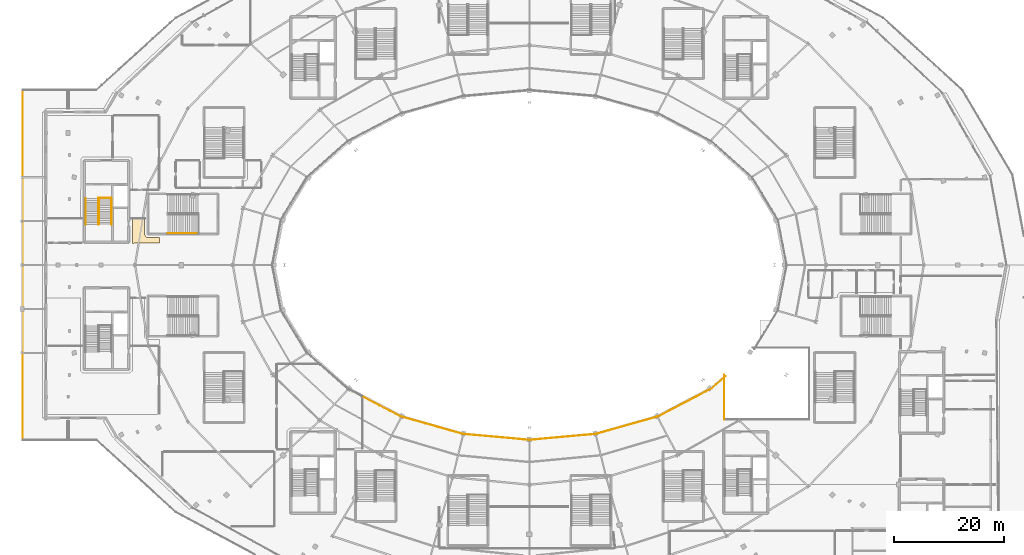
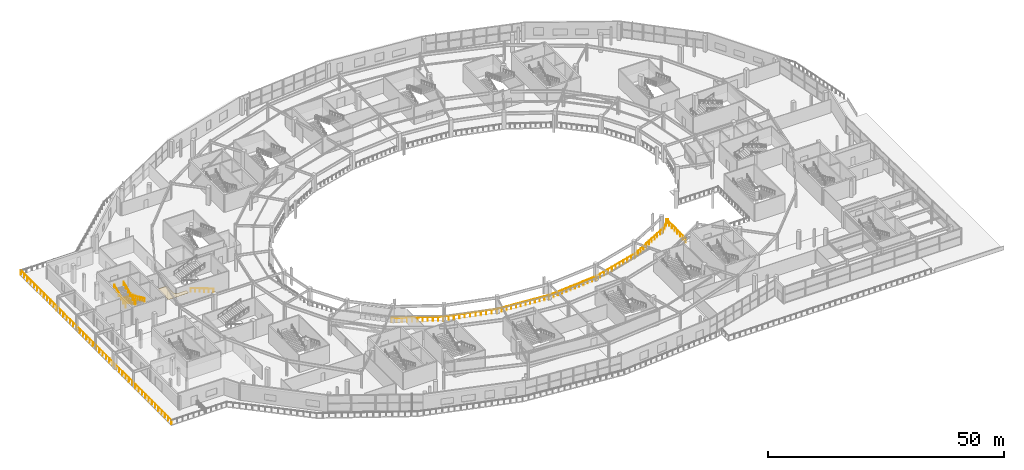
# One storey, part 95 of 107: 15 railings, 1 covering.
"""IFC4 building model written with IfcOpenShell, lengths in metres."""

from ifc_helpers import new_model, si_unit, direction, frame, origin, origin_2d, place, context, subcontext, project, spatial, polyline, circle, outline, extrude, material, layer, layer_set, type_object, element, save


model = new_model("IFC4")

# Units and contexts
model_context = context("Model", 3, precision=1e-05, world=origin(), true_north=direction((0.0, 1.0)))
body_context = subcontext(model_context, "Body", "Model", "MODEL_VIEW")
ifc_project = project(units=[si_unit("LENGTHUNIT", "METRE"), si_unit("AREAUNIT", "SQUARE_METRE"), si_unit("VOLUMEUNIT", "CUBIC_METRE"), si_unit("PLANEANGLEUNIT", "RADIAN"), si_unit("MASSUNIT", "GRAM", prefix="KILO")], contexts=[model_context])

# Site, building, storey
site_placement = place(None, origin())
site = spatial("IfcSite", under=ifc_project, at=site_placement, CompositionType="ELEMENT")
building_placement = place(site_placement, origin())
building = spatial("IfcBuilding", under=site, at=building_placement, Name="Kalgoora Escarpment Arena", CompositionType="ELEMENT")
storey_placement = place(building_placement, frame((0.0, 0.0, 5.39990234375)))
storey = spatial("IfcBuildingStorey", under=building, at=storey_placement, Name="L01", CompositionType="ELEMENT", Elevation=5.39990234375)

# Covering
ifc_material_1 = material(Name="Perforated acoustic mineral-fibre ceiling tile")
ifc_layer = layer(ifc_material_1, 0.02490234375)
ifc_layer_set = layer_set([ifc_layer], Name="COV-CEIL-ACOUSTIC")
covering_type = type_object("IfcCoveringType", Name="COV-CEIL-ACOUSTIC", PredefinedType="CEILING", material=ifc_layer_set)
covering_placement = place(storey_placement, frame((0.0, 0.0, 3.47998046875)))
element("IfcCovering", 1, at=covering_placement, inside=storey, type_object=covering_type, Name="L01 Arena Shop acoustic suspended ceiling", PredefinedType="CEILING", context=body_context, shape_type="SweptSolid", body=[
    extrude(outline(polyline([(25.039794921875, 67.99609375), (20.097900390625, 67.9599609375), (20.10009765625, 72.514892578125), (22.300048828125, 72.514892578125), (22.300048828125, 69.5), (22.7509765625, 69.00244140625), (25.0400390625, 69.0), (25.039794921875, 67.99609375)])), origin(), (0.0, 0.0, 1.0), 0.025146484375),
])

# Railings
ifc_material_2 = material(Name="Galvanised & powdercoated tubular steel", Category="steel")
railing_type_1 = type_object("IfcRailingType", Name="RAL-GUARD-1120", PredefinedType="GUARDRAIL", material=ifc_material_2)
railing_1_placement = place(storey_placement, frame((16.2900390625, 76.18994140625, 0.0)))
element("IfcRailing", 2, at=railing_1_placement, inside=storey, type_object=railing_type_1, Name="ST01 L01 floor landing well guard", PredefinedType="GUARDRAIL", context=body_context, shape_type="SweptSolid", body=[
    extrude(circle(Radius=0.02392578125, at=origin_2d()), frame((0.0, 0.0, 1.09619140625), z_axis=(-1.0, 0.0, 0.0), x_axis=(0.0, -1.0, 0.0)), (0.0, 0.0, 1.0), 2.340087890625),
    extrude(circle(Radius=0.02099609375, at=origin_2d()), origin(), (0.0, 0.0, 1.0), 1.072021484375),
    extrude(circle(Radius=0.02099609375, at=origin_2d()), frame((-1.169921875, 0.0, 0.0)), (0.0, 0.0, 1.0), 1.072021484375),
    extrude(circle(Radius=0.02099609375, at=origin_2d()), frame((-2.340087890625, 0.0, 0.0)), (0.0, 0.0, 1.0), 1.072021484375),
])
railing_2_placement = place(storey_placement, frame((59.27197265625, 41.478515625, 0.0)))
element("IfcRailing", 3, at=railing_2_placement, inside=storey, type_object=railing_type_1, Name="L01 concourse bowl balustrade 16", PredefinedType="GUARDRAIL", context=body_context, shape_type="SweptSolid", body=[
    extrude(circle(Radius=0.02392578125, at=origin_2d()), frame((0.0, 0.0, 1.09619140625), z_axis=(0.886621438299, -0.462495865007, 0.0), x_axis=(0.462495865007, 0.886621438299, 0.0)), (0.0, 0.0, 1.0), 10.94384765625),
    extrude(circle(Radius=0.02099609375, at=origin_2d()), origin(), (0.0, 0.0, 1.0), 1.072021484375),
    extrude(circle(Radius=0.02099609375, at=origin_2d()), frame((0.97021484375, -0.506103515625, 0.0)), (0.0, 0.0, 1.0), 1.072021484375),
    extrude(circle(Radius=0.02099609375, at=origin_2d()), frame((1.940673828125, -1.01220703125, 0.0)), (0.0, 0.0, 1.0), 1.072021484375),
    extrude(circle(Radius=0.02099609375, at=origin_2d()), frame((2.910888671875, -1.5185546875, 0.0)), (0.0, 0.0, 1.0), 1.072021484375),
    extrude(circle(Radius=0.02099609375, at=origin_2d()), frame((3.88134765625, -2.024658203125, 0.0)), (0.0, 0.0, 1.0), 1.072021484375),
    extrude(circle(Radius=0.02099609375, at=origin_2d()), frame((4.8515625, -2.53076171875, 0.0)), (0.0, 0.0, 1.0), 1.072021484375),
    extrude(circle(Radius=0.02099609375, at=origin_2d()), frame((5.82177734375, -3.036865234375, 0.0)), (0.0, 0.0, 1.0), 1.072021484375),
    extrude(circle(Radius=0.02099609375, at=origin_2d()), frame((6.792236328125, -3.54296875, 0.0)), (0.0, 0.0, 1.0), 1.072021484375),
    extrude(circle(Radius=0.02099609375, at=origin_2d()), frame((7.762451171875, -4.04931640625, 0.0)), (0.0, 0.0, 1.0), 1.072021484375),
    extrude(circle(Radius=0.02099609375, at=origin_2d()), frame((8.73291015625, -4.555419921875, 0.0)), (0.0, 0.0, 1.0), 1.072021484375),
    extrude(circle(Radius=0.02099609375, at=origin_2d()), frame((9.703125, -5.0615234375, 0.0)), (0.0, 0.0, 1.0), 1.072021484375),
])
railing_3_placement = place(storey_placement, frame((68.97509765625, 36.4169921875, 0.0)))
element("IfcRailing", 4, at=railing_3_placement, inside=storey, type_object=railing_type_1, Name="L01 concourse bowl balustrade 17", PredefinedType="GUARDRAIL", context=body_context, shape_type="SweptSolid", body=[
    extrude(circle(Radius=0.02392578125, at=origin_2d()), frame((0.0, 0.0, 1.09619140625), z_axis=(0.962568569832, -0.271038278425, 0.0), x_axis=(0.271038278425, 0.962568569832, 0.0)), (0.0, 0.0, 1.0), 11.73876953125),
    extrude(circle(Radius=0.02099609375, at=origin_2d()), origin(), (0.0, 0.0, 1.0), 1.072021484375),
    extrude(circle(Radius=0.02099609375, at=origin_2d()), frame((1.1298828125, -0.318115234375, 0.0)), (0.0, 0.0, 1.0), 1.072021484375),
    extrude(circle(Radius=0.02099609375, at=origin_2d()), frame((2.259765625, -0.63623046875, 0.0)), (0.0, 0.0, 1.0), 1.072021484375),
    extrude(circle(Radius=0.02099609375, at=origin_2d()), frame((3.389892578125, -0.95458984375, 0.0)), (0.0, 0.0, 1.0), 1.072021484375),
    extrude(circle(Radius=0.02099609375, at=origin_2d()), frame((4.519775390625, -1.272705078125, 0.0)), (0.0, 0.0, 1.0), 1.072021484375),
    extrude(circle(Radius=0.02099609375, at=origin_2d()), frame((5.649658203125, -1.5908203125, 0.0)), (0.0, 0.0, 1.0), 1.072021484375),
    extrude(circle(Radius=0.02099609375, at=origin_2d()), frame((6.779541015625, -1.908935546875, 0.0)), (0.0, 0.0, 1.0), 1.072021484375),
    extrude(circle(Radius=0.02099609375, at=origin_2d()), frame((7.909423828125, -2.22705078125, 0.0)), (0.0, 0.0, 1.0), 1.072021484375),
    extrude(circle(Radius=0.02099609375, at=origin_2d()), frame((9.03955078125, -2.54541015625, 0.0)), (0.0, 0.0, 1.0), 1.072021484375),
    extrude(circle(Radius=0.02099609375, at=origin_2d()), frame((10.16943359375, -2.863525390625, 0.0)), (0.0, 0.0, 1.0), 1.072021484375),
    extrude(circle(Radius=0.02099609375, at=origin_2d()), frame((11.29931640625, -3.181640625, 0.0)), (0.0, 0.0, 1.0), 1.072021484375),
])
railing_4_placement = place(storey_placement, frame((80.2744140625, 33.2353515625, 0.0)))
element("IfcRailing", 5, at=railing_4_placement, inside=storey, type_object=railing_type_1, Name="L01 concourse bowl balustrade 18", PredefinedType="GUARDRAIL", context=body_context, shape_type="SweptSolid", body=[
    extrude(circle(Radius=0.02392578125, at=origin_2d()), frame((0.0, 0.0, 1.09619140625), z_axis=(0.996017186809, -0.089161446715, 0.0), x_axis=(0.089161446715, 0.996017186809, 0.0)), (0.0, 0.0, 1.0), 12.174072265625),
    extrude(circle(Radius=0.02099609375, at=origin_2d()), origin(), (0.0, 0.0, 1.0), 1.072021484375),
    extrude(circle(Radius=0.02099609375, at=origin_2d()), frame((1.102294921875, -0.0986328125, 0.0)), (0.0, 0.0, 1.0), 1.072021484375),
    extrude(circle(Radius=0.02099609375, at=origin_2d()), frame((2.20458984375, -0.197265625, 0.0)), (0.0, 0.0, 1.0), 1.072021484375),
    extrude(circle(Radius=0.02099609375, at=origin_2d()), frame((3.306884765625, -0.296142578125, 0.0)), (0.0, 0.0, 1.0), 1.072021484375),
    extrude(circle(Radius=0.02099609375, at=origin_2d()), frame((4.4091796875, -0.394775390625, 0.0)), (0.0, 0.0, 1.0), 1.072021484375),
    extrude(circle(Radius=0.02099609375, at=origin_2d()), frame((5.511474609375, -0.493408203125, 0.0)), (0.0, 0.0, 1.0), 1.072021484375),
    extrude(circle(Radius=0.02099609375, at=origin_2d()), frame((6.614013671875, -0.592041015625, 0.0)), (0.0, 0.0, 1.0), 1.072021484375),
    extrude(circle(Radius=0.02099609375, at=origin_2d()), frame((7.71630859375, -0.690673828125, 0.0)), (0.0, 0.0, 1.0), 1.072021484375),
    extrude(circle(Radius=0.02099609375, at=origin_2d()), frame((8.818603515625, -0.789306640625, 0.0)), (0.0, 0.0, 1.0), 1.072021484375),
    extrude(circle(Radius=0.02099609375, at=origin_2d()), frame((9.9208984375, -0.88818359375, 0.0)), (0.0, 0.0, 1.0), 1.072021484375),
    extrude(circle(Radius=0.02099609375, at=origin_2d()), frame((11.023193359375, -0.98681640625, 0.0)), (0.0, 0.0, 1.0), 1.072021484375),
    extrude(circle(Radius=0.02099609375, at=origin_2d()), frame((12.12548828125, -1.08544921875, 0.0)), (0.0, 0.0, 1.0), 1.072021484375),
])
railing_5_placement = place(storey_placement, frame((92.39990234375, 32.14990234375, 0.0)))
element("IfcRailing", 6, at=railing_5_placement, inside=storey, type_object=railing_type_1, Name="L01 concourse bowl balustrade 19", PredefinedType="GUARDRAIL", context=body_context, shape_type="SweptSolid", body=[
    extrude(circle(Radius=0.02392578125, at=origin_2d()), frame((0.0, 0.0, 1.09619140625), z_axis=(0.996017346232, 0.089159665801, 0.0), x_axis=(-0.089159665801, 0.996017346232, 0.0)), (0.0, 0.0, 1.0), 12.17431640625),
    extrude(circle(Radius=0.02099609375, at=origin_2d()), origin(), (0.0, 0.0, 1.0), 1.072021484375),
    extrude(circle(Radius=0.02099609375, at=origin_2d()), frame((1.102294921875, 0.0986328125, 0.0)), (0.0, 0.0, 1.0), 1.072021484375),
    extrude(circle(Radius=0.02099609375, at=origin_2d()), frame((2.20458984375, 0.197265625, 0.0)), (0.0, 0.0, 1.0), 1.072021484375),
    extrude(circle(Radius=0.02099609375, at=origin_2d()), frame((3.30712890625, 0.296142578125, 0.0)), (0.0, 0.0, 1.0), 1.072021484375),
    extrude(circle(Radius=0.02099609375, at=origin_2d()), frame((4.409423828125, 0.394775390625, 0.0)), (0.0, 0.0, 1.0), 1.072021484375),
    extrude(circle(Radius=0.02099609375, at=origin_2d()), frame((5.51171875, 0.493408203125, 0.0)), (0.0, 0.0, 1.0), 1.072021484375),
    extrude(circle(Radius=0.02099609375, at=origin_2d()), frame((6.614013671875, 0.592041015625, 0.0)), (0.0, 0.0, 1.0), 1.072021484375),
    extrude(circle(Radius=0.02099609375, at=origin_2d()), frame((7.71630859375, 0.690673828125, 0.0)), (0.0, 0.0, 1.0), 1.072021484375),
    extrude(circle(Radius=0.02099609375, at=origin_2d()), frame((8.818603515625, 0.789306640625, 0.0)), (0.0, 0.0, 1.0), 1.072021484375),
    extrude(circle(Radius=0.02099609375, at=origin_2d()), frame((9.921142578125, 0.88818359375, 0.0)), (0.0, 0.0, 1.0), 1.072021484375),
    extrude(circle(Radius=0.02099609375, at=origin_2d()), frame((11.0234375, 0.98681640625, 0.0)), (0.0, 0.0, 1.0), 1.072021484375),
    extrude(circle(Radius=0.02099609375, at=origin_2d()), frame((12.125732421875, 1.08544921875, 0.0)), (0.0, 0.0, 1.0), 1.072021484375),
])
railing_6_placement = place(storey_placement, frame((104.525634765625, 33.2353515625, 0.0)))
element("IfcRailing", 7, at=railing_6_placement, inside=storey, type_object=railing_type_1, Name="L01 concourse bowl balustrade 20", PredefinedType="GUARDRAIL", context=body_context, shape_type="SweptSolid", body=[
    extrude(circle(Radius=0.02392578125, at=origin_2d()), frame((0.0, 0.0, 1.09619140625), z_axis=(0.962568569832, 0.271038278425, 0.0), x_axis=(-0.271038278425, 0.962568569832, 0.0)), (0.0, 0.0, 1.0), 11.73876953125),
    extrude(circle(Radius=0.02099609375, at=origin_2d()), origin(), (0.0, 0.0, 1.0), 1.072021484375),
    extrude(circle(Radius=0.02099609375, at=origin_2d()), frame((1.1298828125, 0.318115234375, 0.0)), (0.0, 0.0, 1.0), 1.072021484375),
    extrude(circle(Radius=0.02099609375, at=origin_2d()), frame((2.259765625, 0.63623046875, 0.0)), (0.0, 0.0, 1.0), 1.072021484375),
    extrude(circle(Radius=0.02099609375, at=origin_2d()), frame((3.389892578125, 0.95458984375, 0.0)), (0.0, 0.0, 1.0), 1.072021484375),
    extrude(circle(Radius=0.02099609375, at=origin_2d()), frame((4.519775390625, 1.272705078125, 0.0)), (0.0, 0.0, 1.0), 1.072021484375),
    extrude(circle(Radius=0.02099609375, at=origin_2d()), frame((5.649658203125, 1.5908203125, 0.0)), (0.0, 0.0, 1.0), 1.072021484375),
    extrude(circle(Radius=0.02099609375, at=origin_2d()), frame((6.779541015625, 1.908935546875, 0.0)), (0.0, 0.0, 1.0), 1.072021484375),
    extrude(circle(Radius=0.02099609375, at=origin_2d()), frame((7.909423828125, 2.22705078125, 0.0)), (0.0, 0.0, 1.0), 1.072021484375),
    extrude(circle(Radius=0.02099609375, at=origin_2d()), frame((9.03955078125, 2.54541015625, 0.0)), (0.0, 0.0, 1.0), 1.072021484375),
    extrude(circle(Radius=0.02099609375, at=origin_2d()), frame((10.16943359375, 2.863525390625, 0.0)), (0.0, 0.0, 1.0), 1.072021484375),
    extrude(circle(Radius=0.02099609375, at=origin_2d()), frame((11.29931640625, 3.181640625, 0.0)), (0.0, 0.0, 1.0), 1.072021484375),
])
railing_7_placement = place(storey_placement, frame((115.824951171875, 36.4169921875, 0.0)))
element("IfcRailing", 8, at=railing_7_placement, inside=storey, type_object=railing_type_1, Name="L01 concourse bowl balustrade 21", PredefinedType="GUARDRAIL", context=body_context, shape_type="SweptSolid", body=[
    extrude(circle(Radius=0.02392578125, at=origin_2d()), frame((0.0, 0.0, 1.09619140625), z_axis=(0.886621438299, 0.462495865007, 0.0), x_axis=(-0.462495865007, 0.886621438299, 0.0)), (0.0, 0.0, 1.0), 10.94384765625),
    extrude(circle(Radius=0.02099609375, at=origin_2d()), origin(), (0.0, 0.0, 1.0), 1.072021484375),
    extrude(circle(Radius=0.02099609375, at=origin_2d()), frame((0.97021484375, 0.506103515625, 0.0)), (0.0, 0.0, 1.0), 1.072021484375),
    extrude(circle(Radius=0.02099609375, at=origin_2d()), frame((1.940673828125, 1.01220703125, 0.0)), (0.0, 0.0, 1.0), 1.072021484375),
    extrude(circle(Radius=0.02099609375, at=origin_2d()), frame((2.910888671875, 1.5185546875, 0.0)), (0.0, 0.0, 1.0), 1.072021484375),
    extrude(circle(Radius=0.02099609375, at=origin_2d()), frame((3.88134765625, 2.024658203125, 0.0)), (0.0, 0.0, 1.0), 1.072021484375),
    extrude(circle(Radius=0.02099609375, at=origin_2d()), frame((4.8515625, 2.53076171875, 0.0)), (0.0, 0.0, 1.0), 1.072021484375),
    extrude(circle(Radius=0.02099609375, at=origin_2d()), frame((5.82177734375, 3.036865234375, 0.0)), (0.0, 0.0, 1.0), 1.072021484375),
    extrude(circle(Radius=0.02099609375, at=origin_2d()), frame((6.792236328125, 3.54296875, 0.0)), (0.0, 0.0, 1.0), 1.072021484375),
    extrude(circle(Radius=0.02099609375, at=origin_2d()), frame((7.762451171875, 4.04931640625, 0.0)), (0.0, 0.0, 1.0), 1.072021484375),
    extrude(circle(Radius=0.02099609375, at=origin_2d()), frame((8.73291015625, 4.555419921875, 0.0)), (0.0, 0.0, 1.0), 1.072021484375),
    extrude(circle(Radius=0.02099609375, at=origin_2d()), frame((9.703125, 5.0615234375, 0.0)), (0.0, 0.0, 1.0), 1.072021484375),
])
railing_8_placement = place(storey_placement, frame((125.528076171875, 41.478515625, 0.0)))
element("IfcRailing", 9, at=railing_8_placement, inside=storey, type_object=railing_type_1, Name="L01 concourse bowl balustrade 22", PredefinedType="GUARDRAIL", context=body_context, shape_type="SweptSolid", body=[
    extrude(circle(Radius=0.02392578125, at=origin_2d()), frame((0.0, 0.0, 1.09619140625), z_axis=(0.74849475117, 0.663140714683, 0.0), x_axis=(-0.663140714683, 0.74849475117, 0.0)), (0.0, 0.0, 1.0), 3.409423828125),
    extrude(circle(Radius=0.02099609375, at=origin_2d()), origin(), (0.0, 0.0, 1.0), 1.072021484375),
    extrude(circle(Radius=0.02099609375, at=origin_2d()), frame((0.8505859375, 0.753662109375, 0.0)), (0.0, 0.0, 1.0), 1.072021484375),
    extrude(circle(Radius=0.02099609375, at=origin_2d()), frame((1.701416015625, 1.50732421875, 0.0)), (0.0, 0.0, 1.0), 1.072021484375),
    extrude(circle(Radius=0.02099609375, at=origin_2d()), frame((2.552001953125, 2.260986328125, 0.0)), (0.0, 0.0, 1.0), 1.072021484375),
])
railing_9_placement = place(storey_placement, frame((127.85009765625, 43.970458984375, 0.0)))
element("IfcRailing", 10, at=railing_9_placement, inside=storey, type_object=railing_type_1, Name="L01 practice court void balustrade W", PredefinedType="GUARDRAIL", context=body_context, shape_type="SweptSolid", body=[
    extrude(circle(Radius=0.02392578125, at=origin_2d()), frame((0.0, 0.0, 1.09619140625), z_axis=(0.0, -1.0, 0.0), x_axis=(1.0, 0.0, 0.0)), (0.0, 0.0, 1.0), 8.120361328125),
    extrude(circle(Radius=0.02099609375, at=origin_2d()), origin(), (0.0, 0.0, 1.0), 1.072021484375),
    extrude(circle(Radius=0.02099609375, at=origin_2d()), frame((0.0, -1.16015625, 0.0)), (0.0, 0.0, 1.0), 1.072021484375),
    extrude(circle(Radius=0.02099609375, at=origin_2d()), frame((0.0, -2.320068359375, 0.0)), (0.0, 0.0, 1.0), 1.072021484375),
    extrude(circle(Radius=0.02099609375, at=origin_2d()), frame((0.0, -3.480224609375, 0.0)), (0.0, 0.0, 1.0), 1.072021484375),
    extrude(circle(Radius=0.02099609375, at=origin_2d()), frame((0.0, -4.64013671875, 0.0)), (0.0, 0.0, 1.0), 1.072021484375),
    extrude(circle(Radius=0.02099609375, at=origin_2d()), frame((0.0, -5.80029296875, 0.0)), (0.0, 0.0, 1.0), 1.072021484375),
    extrude(circle(Radius=0.02099609375, at=origin_2d()), frame((0.0, -6.960205078125, 0.0)), (0.0, 0.0, 1.0), 1.072021484375),
    extrude(circle(Radius=0.02099609375, at=origin_2d()), frame((0.0, -8.120361328125, 0.0)), (0.0, 0.0, 1.0), 1.072021484375),
])
ifc_material_3 = material(Name="Brushed stainless steel 316 handrail", Category="steel")
railing_type_2 = type_object("IfcRailingType", Name="RAL-HAND-920", PredefinedType="HANDRAIL", material=ifc_material_3)
for number, where, name in (
    (11, (16.300048828125, 76.110107421875, 0.110107421875), "ST01 L01 pitched stair handrail F1L"),
    (12, (14.02001953125, 76.110107421875, 0.110107421875), "ST01 L01 pitched stair handrail F1R"),
):
    element("IfcRailing", number, at=place(storey_placement, frame(where)), inside=storey, type_object=railing_type_2, Name=name, PredefinedType="HANDRAIL", context=body_context, shape_type="SweptSolid", body=[
        extrude(circle(Radius=0.02392578125, at=origin_2d()), frame((0.0, 0.0, 0.89599609375), z_axis=(0.0, -0.913651683675, 0.406497971603), x_axis=(1.0, 0.0, 0.0)), (0.0, 0.0, 1.0), 5.166259765625),
        extrude(circle(Radius=0.02099609375, at=origin_2d()), origin(), (0.0, 0.0, 1.0), 0.871826171875),
        extrude(circle(Radius=0.02099609375, at=origin_2d()), frame((0.0, -0.944091796875, 0.419921875)), (0.0, 0.0, 1.0), 0.871826171875),
        extrude(circle(Radius=0.02099609375, at=origin_2d()), frame((0.0, -1.88818359375, 0.840087890625)), (0.0, 0.0, 1.0), 0.871826171875),
        extrude(circle(Radius=0.02099609375, at=origin_2d()), frame((0.0, -2.83203125, 1.260009765625)), (0.0, 0.0, 1.0), 0.871826171875),
        extrude(circle(Radius=0.02099609375, at=origin_2d()), frame((0.0, -3.776123046875, 1.68017578125)), (0.0, 0.0, 1.0), 0.871826171875),
        extrude(circle(Radius=0.02099609375, at=origin_2d()), frame((0.0, -4.72021484375, 2.10009765625)), (0.0, 0.0, 1.0), 0.871826171875),
    ])
for number, where, name in (
    (13, (13.8798828125, 71.389892578125, 2.360107421875), "ST01 L01 pitched stair handrail F2L"),
    (14, (11.60009765625, 71.389892578125, 2.360107421875), "ST01 L01 pitched stair handrail F2R"),
):
    element("IfcRailing", number, at=place(storey_placement, frame(where)), inside=storey, type_object=railing_type_2, Name=name, PredefinedType="HANDRAIL", context=body_context, shape_type="SweptSolid", body=[
        extrude(circle(Radius=0.02392578125, at=origin_2d()), frame((0.0, 0.0, 0.89599609375), z_axis=(0.0, 0.913651683675, 0.406497971603), x_axis=(-1.0, 0.0, 0.0)), (0.0, 0.0, 1.0), 5.166259765625),
        extrude(circle(Radius=0.02099609375, at=origin_2d()), origin(), (0.0, 0.0, 1.0), 0.871826171875),
        extrude(circle(Radius=0.02099609375, at=origin_2d()), frame((0.0, 0.944091796875, 0.419921875)), (0.0, 0.0, 1.0), 0.871826171875),
        extrude(circle(Radius=0.02099609375, at=origin_2d()), frame((0.0, 1.88818359375, 0.840087890625)), (0.0, 0.0, 1.0), 0.871826171875),
        extrude(circle(Radius=0.02099609375, at=origin_2d()), frame((0.0, 2.83203125, 1.260009765625)), (0.0, 0.0, 1.0), 0.871826171875),
        extrude(circle(Radius=0.02099609375, at=origin_2d()), frame((0.0, 3.776123046875, 1.68017578125)), (0.0, 0.0, 1.0), 0.871826171875),
        extrude(circle(Radius=0.02099609375, at=origin_2d()), frame((0.0, 4.72021484375, 2.10009765625)), (0.0, 0.0, 1.0), 0.871826171875),
    ])
railing_10_placement = place(storey_placement, frame((32.110107421875, 69.800048828125, 0.110107421875)))
element("IfcRailing", 15, at=railing_10_placement, inside=storey, type_object=railing_type_2, Name="ST17 L01 pitched stair handrail F1L", PredefinedType="HANDRAIL", context=body_context, shape_type="SweptSolid", body=[
    extrude(circle(Radius=0.02392578125, at=origin_2d()), frame((0.0, 0.0, 0.89599609375), z_axis=(-0.935492612948, 0.0, 0.353346248203), x_axis=(0.0, -1.0, 0.0)), (0.0, 0.0, 1.0), 5.943359375),
    extrude(circle(Radius=0.02099609375, at=origin_2d()), origin(), (0.0, 0.0, 1.0), 0.871826171875),
    extrude(circle(Radius=0.02099609375, at=origin_2d()), frame((-1.112060546875, 0.0, 0.419921875)), (0.0, 0.0, 1.0), 0.871826171875),
    extrude(circle(Radius=0.02099609375, at=origin_2d()), frame((-2.22412109375, 0.0, 0.840087890625)), (0.0, 0.0, 1.0), 0.871826171875),
    extrude(circle(Radius=0.02099609375, at=origin_2d()), frame((-3.3359375, 0.0, 1.260009765625)), (0.0, 0.0, 1.0), 0.871826171875),
    extrude(circle(Radius=0.02099609375, at=origin_2d()), frame((-4.447998046875, 0.0, 1.68017578125)), (0.0, 0.0, 1.0), 0.871826171875),
    extrude(circle(Radius=0.02099609375, at=origin_2d()), frame((-5.56005859375, 0.0, 2.10009765625)), (0.0, 0.0, 1.0), 0.871826171875),
])
ifc_material_4 = material(Name="Champagne anodised aluminium & laminated glass", Category="aluminium")
railing_type_3 = type_object("IfcRailingType", Name="RAL-TERR-1100", PredefinedType="GUARDRAIL", material=ifc_material_4)
railing_11_placement = place(storey_placement, frame((0.159912109375, 32.159912109375, 0.0)))
element("IfcRailing", 16, at=railing_11_placement, inside=storey, type_object=railing_type_3, Name="Upper Foyer Escarpment Plaza perimeter guardrail 005", PredefinedType="GUARDRAIL", context=body_context, shape_type="SweptSolid", body=[
    extrude(circle(Radius=0.02392578125, at=origin_2d()), frame((0.0, 0.0, 1.09619140625), z_axis=(0.0, 1.0, 0.0), x_axis=(-1.0, 0.0, 0.0)), (0.0, 0.0, 1.0), 63.68017578125),
    extrude(circle(Radius=0.02099609375, at=origin_2d()), origin(), (0.0, 0.0, 1.0), 1.072021484375),
    extrude(circle(Radius=0.02099609375, at=origin_2d()), frame((0.0, 1.38427734375, 0.0)), (0.0, 0.0, 1.0), 1.072021484375),
    extrude(circle(Radius=0.02099609375, at=origin_2d()), frame((0.0, 2.768798828125, 0.0)), (0.0, 0.0, 1.0), 1.072021484375),
    extrude(circle(Radius=0.02099609375, at=origin_2d()), frame((0.0, 4.153076171875, 0.0)), (0.0, 0.0, 1.0), 1.072021484375),
    extrude(circle(Radius=0.02099609375, at=origin_2d()), frame((0.0, 5.537353515625, 0.0)), (0.0, 0.0, 1.0), 1.072021484375),
    extrude(circle(Radius=0.02099609375, at=origin_2d()), frame((0.0, 6.921875, 0.0)), (0.0, 0.0, 1.0), 1.072021484375),
    extrude(circle(Radius=0.02099609375, at=origin_2d()), frame((0.0, 8.30615234375, 0.0)), (0.0, 0.0, 1.0), 1.072021484375),
    extrude(circle(Radius=0.02099609375, at=origin_2d()), frame((0.0, 9.6904296875, 0.0)), (0.0, 0.0, 1.0), 1.072021484375),
    extrude(circle(Radius=0.02099609375, at=origin_2d()), frame((0.0, 11.07470703125, 0.0)), (0.0, 0.0, 1.0), 1.072021484375),
    extrude(circle(Radius=0.02099609375, at=origin_2d()), frame((0.0, 12.459228515625, 0.0)), (0.0, 0.0, 1.0), 1.072021484375),
    extrude(circle(Radius=0.02099609375, at=origin_2d()), frame((0.0, 13.843505859375, 0.0)), (0.0, 0.0, 1.0), 1.072021484375),
    extrude(circle(Radius=0.02099609375, at=origin_2d()), frame((0.0, 15.227783203125, 0.0)), (0.0, 0.0, 1.0), 1.072021484375),
    extrude(circle(Radius=0.02099609375, at=origin_2d()), frame((0.0, 16.6123046875, 0.0)), (0.0, 0.0, 1.0), 1.072021484375),
    extrude(circle(Radius=0.02099609375, at=origin_2d()), frame((0.0, 17.99658203125, 0.0)), (0.0, 0.0, 1.0), 1.072021484375),
    extrude(circle(Radius=0.02099609375, at=origin_2d()), frame((0.0, 19.380859375, 0.0)), (0.0, 0.0, 1.0), 1.072021484375),
    extrude(circle(Radius=0.02099609375, at=origin_2d()), frame((0.0, 20.765380859375, 0.0)), (0.0, 0.0, 1.0), 1.072021484375),
    extrude(circle(Radius=0.02099609375, at=origin_2d()), frame((0.0, 22.149658203125, 0.0)), (0.0, 0.0, 1.0), 1.072021484375),
    extrude(circle(Radius=0.02099609375, at=origin_2d()), frame((0.0, 23.533935546875, 0.0)), (0.0, 0.0, 1.0), 1.072021484375),
    extrude(circle(Radius=0.02099609375, at=origin_2d()), frame((0.0, 24.918212890625, 0.0)), (0.0, 0.0, 1.0), 1.072021484375),
    extrude(circle(Radius=0.02099609375, at=origin_2d()), frame((0.0, 26.302734375, 0.0)), (0.0, 0.0, 1.0), 1.072021484375),
    extrude(circle(Radius=0.02099609375, at=origin_2d()), frame((0.0, 27.68701171875, 0.0)), (0.0, 0.0, 1.0), 1.072021484375),
    extrude(circle(Radius=0.02099609375, at=origin_2d()), frame((0.0, 29.0712890625, 0.0)), (0.0, 0.0, 1.0), 1.072021484375),
    extrude(circle(Radius=0.02099609375, at=origin_2d()), frame((0.0, 30.455810546875, 0.0)), (0.0, 0.0, 1.0), 1.072021484375),
    extrude(circle(Radius=0.02099609375, at=origin_2d()), frame((0.0, 31.840087890625, 0.0)), (0.0, 0.0, 1.0), 1.072021484375),
    extrude(circle(Radius=0.02099609375, at=origin_2d()), frame((0.0, 33.224365234375, 0.0)), (0.0, 0.0, 1.0), 1.072021484375),
    extrude(circle(Radius=0.02099609375, at=origin_2d()), frame((0.0, 34.60888671875, 0.0)), (0.0, 0.0, 1.0), 1.072021484375),
    extrude(circle(Radius=0.02099609375, at=origin_2d()), frame((0.0, 35.9931640625, 0.0)), (0.0, 0.0, 1.0), 1.072021484375),
    extrude(circle(Radius=0.02099609375, at=origin_2d()), frame((0.0, 37.37744140625, 0.0)), (0.0, 0.0, 1.0), 1.072021484375),
    extrude(circle(Radius=0.02099609375, at=origin_2d()), frame((0.0, 38.761962890625, 0.0)), (0.0, 0.0, 1.0), 1.072021484375),
    extrude(circle(Radius=0.02099609375, at=origin_2d()), frame((0.0, 40.146240234375, 0.0)), (0.0, 0.0, 1.0), 1.072021484375),
    extrude(circle(Radius=0.02099609375, at=origin_2d()), frame((0.0, 41.530517578125, 0.0)), (0.0, 0.0, 1.0), 1.072021484375),
    extrude(circle(Radius=0.02099609375, at=origin_2d()), frame((0.0, 42.914794921875, 0.0)), (0.0, 0.0, 1.0), 1.072021484375),
    extrude(circle(Radius=0.02099609375, at=origin_2d()), frame((0.0, 44.29931640625, 0.0)), (0.0, 0.0, 1.0), 1.072021484375),
    extrude(circle(Radius=0.02099609375, at=origin_2d()), frame((0.0, 45.68359375, 0.0)), (0.0, 0.0, 1.0), 1.072021484375),
    extrude(circle(Radius=0.02099609375, at=origin_2d()), frame((0.0, 47.06787109375, 0.0)), (0.0, 0.0, 1.0), 1.072021484375),
    extrude(circle(Radius=0.02099609375, at=origin_2d()), frame((0.0, 48.452392578125, 0.0)), (0.0, 0.0, 1.0), 1.072021484375),
    extrude(circle(Radius=0.02099609375, at=origin_2d()), frame((0.0, 49.836669921875, 0.0)), (0.0, 0.0, 1.0), 1.072021484375),
    extrude(circle(Radius=0.02099609375, at=origin_2d()), frame((0.0, 51.220947265625, 0.0)), (0.0, 0.0, 1.0), 1.072021484375),
    extrude(circle(Radius=0.02099609375, at=origin_2d()), frame((0.0, 52.60546875, 0.0)), (0.0, 0.0, 1.0), 1.072021484375),
    extrude(circle(Radius=0.02099609375, at=origin_2d()), frame((0.0, 53.98974609375, 0.0)), (0.0, 0.0, 1.0), 1.072021484375),
    extrude(circle(Radius=0.02099609375, at=origin_2d()), frame((0.0, 55.3740234375, 0.0)), (0.0, 0.0, 1.0), 1.072021484375),
    extrude(circle(Radius=0.02099609375, at=origin_2d()), frame((0.0, 56.75830078125, 0.0)), (0.0, 0.0, 1.0), 1.072021484375),
    extrude(circle(Radius=0.02099609375, at=origin_2d()), frame((0.0, 58.142822265625, 0.0)), (0.0, 0.0, 1.0), 1.072021484375),
    extrude(circle(Radius=0.02099609375, at=origin_2d()), frame((0.0, 59.527099609375, 0.0)), (0.0, 0.0, 1.0), 1.072021484375),
    extrude(circle(Radius=0.02099609375, at=origin_2d()), frame((0.0, 60.911376953125, 0.0)), (0.0, 0.0, 1.0), 1.072021484375),
    extrude(circle(Radius=0.02099609375, at=origin_2d()), frame((0.0, 62.2958984375, 0.0)), (0.0, 0.0, 1.0), 1.072021484375),
    extrude(circle(Radius=0.02099609375, at=origin_2d()), frame((0.0, 63.68017578125, 0.0)), (0.0, 0.0, 1.0), 1.072021484375),
])

save(model, "model.ifc")
